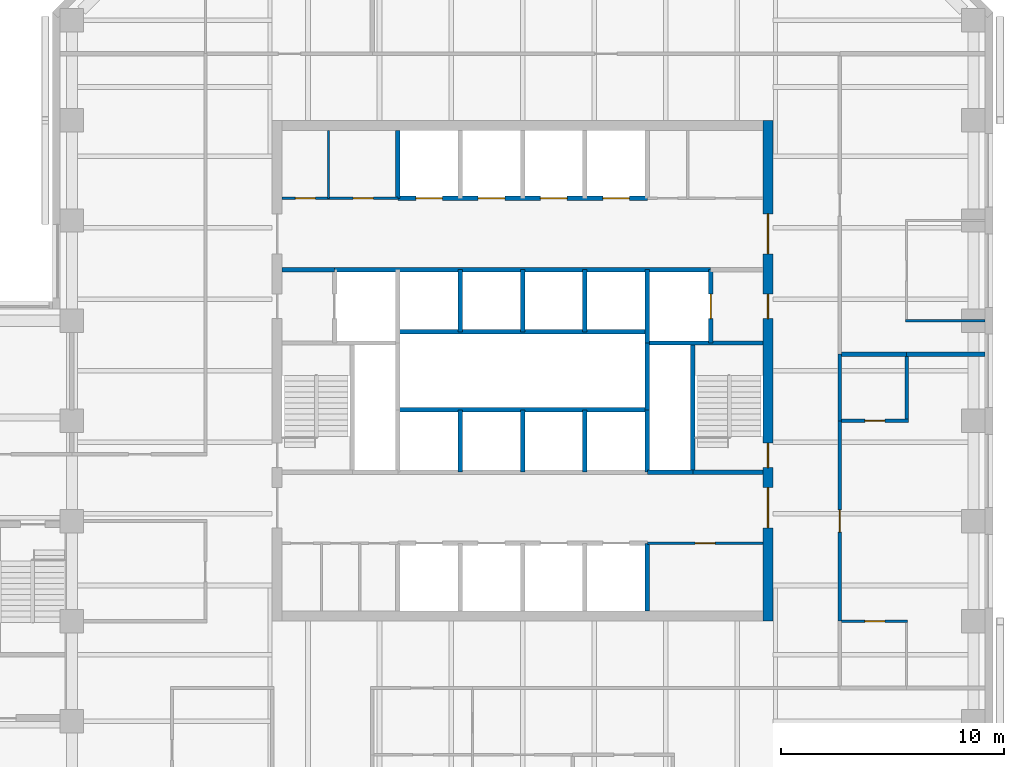
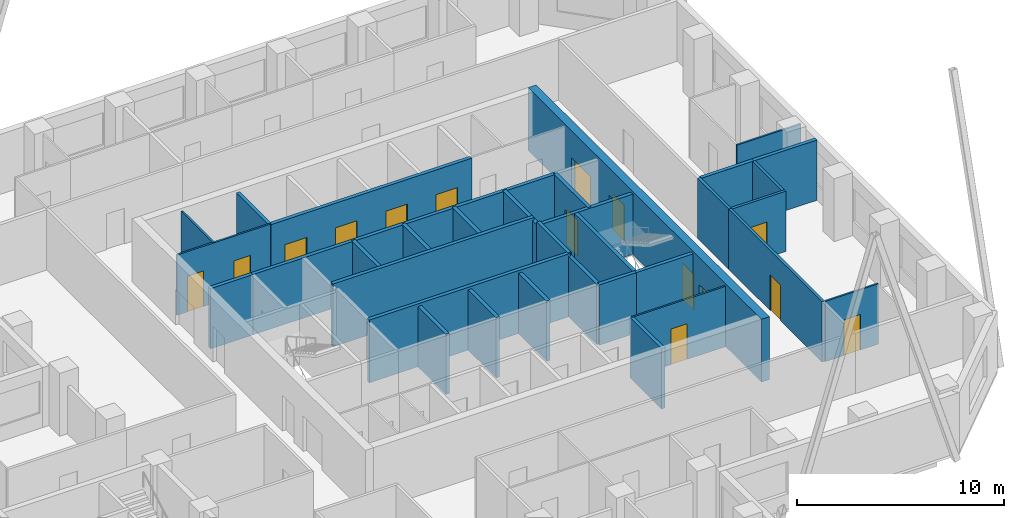
# One storey, part 7 of 10: 33 walls, 15 doors, 15 openings.
"""IFC4 building model written with IfcOpenShell, lengths in metres."""

from ifc_helpers import new_model, si_unit, direction, frame, frame_2d, origin, place, context, subcontext, project, spatial, rectangle, extrude, material, layer, layer_set, type_object, element, fill, save


model = new_model("IFC4")

# Units and contexts
model_context = context("Model", 3, precision=1e-05, world=origin(), true_north=direction((0.0, 1.0)))
body_context = subcontext(model_context, "Body", "Model", "MODEL_VIEW")
ifc_project = project(units=[si_unit("LENGTHUNIT", "METRE"), si_unit("AREAUNIT", "SQUARE_METRE"), si_unit("VOLUMEUNIT", "CUBIC_METRE"), si_unit("PLANEANGLEUNIT", "RADIAN"), si_unit("MASSUNIT", "GRAM", prefix="KILO")], contexts=[model_context])

# Site, building, storey
site_placement = place(None, origin())
site = spatial("IfcSite", under=ifc_project, at=site_placement, CompositionType="ELEMENT")
building_placement = place(site_placement, origin())
building = spatial("IfcBuilding", under=site, at=building_placement, Name="Quoin Convention Tower", CompositionType="ELEMENT")
storey_placement = place(building_placement, frame((0.0, 0.0, 97.39990234375)))
storey = spatial("IfcBuildingStorey", under=building, at=storey_placement, Name="L25", CompositionType="ELEMENT", Elevation=97.39990234375)

# Wall, opening, door
ifc_material_1 = material(Name="Plasterboard")
ifc_layer_1 = layer(ifc_material_1, 0.012451171875, Name="Finish")
ifc_material_2 = material(Name="Steel stud framing", Category="steel")
ifc_layer_2 = layer(ifc_material_2, 0.074951171875, Name="Structure")
ifc_layer_3 = layer(ifc_material_1, 0.012451171875, Name="Finish")
ifc_layer_set_1 = layer_set([ifc_layer_1, ifc_layer_2, ifc_layer_3], Name="Steel stud framing")
wall_type_1 = type_object("IfcWallType", Name="Core partition wall", PredefinedType="PARTITIONING", material=ifc_layer_set_1)
wall_1_placement = place(storey_placement, frame((61.85009765625, 53.0, 0.0), z_axis=(0.0, 0.0, 1.0), x_axis=(1.0, 0.0, 0.0)))
wall_1 = element("IfcWall", 1, at=wall_1_placement, inside=storey, type_object=wall_type_1, Name="cr-C1-L25-h3500_16850", PredefinedType="PARTITIONING", context=body_context, shape_type="SweptSolid", body=[
    extrude(rectangle(XDim=5.199951171875, YDim=0.10009765625, at=frame_2d((2.60009765625, 0.0))), origin(), (0.0, 0.0, 1.0), 3.550048828125),
])
opening_1_placement = place(wall_1_placement, frame((2.14990234375, 0.0, 0.0)))
opening_1 = element("IfcOpeningElement", 2, at=opening_1_placement, cuts=wall_1, Name="Opening DCV3-20", PredefinedType="OPENING", context=body_context, shape_type="SweptSolid", body=[
    extrude(rectangle(XDim=0.89990234375, YDim=2.10009765625, at=frame_2d((0.449951171875, 1.050048828125))), frame((0.0, 0.06005859375, 0.0), z_axis=(0.0, -1.0, 0.0), x_axis=(1.0, 0.0, 0.0)), (0.0, 0.0, 1.0), 0.1201171875),
])
ifc_material_3 = material(Name="Steel door leaf", Category="steel")
door_type_1 = type_object("IfcDoorType", Name="Core room door 900 x 2100", OperationType="SINGLE_SWING_LEFT", PredefinedType="DOOR", material=ifc_material_3)
door_1_placement = place(opening_1_placement, frame((0.89990234375, 0.0, 0.0), z_axis=(0.0, 0.0, 1.0), x_axis=(-1.0, 0.0, 0.0)))
door_1 = element("IfcDoor", 3, at=door_1_placement, inside=storey, type_object=door_type_1, Name="cd-C1-L25-CSE0-lobA-CD2511", OperationType="SINGLE_SWING_RIGHT", OverallHeight=2.10009765625, OverallWidth=0.89990234375, PredefinedType="DOOR", context=body_context, shape_type="SweptSolid", body=[
    extrude(rectangle(XDim=0.89990234375, YDim=2.10009765625, at=frame_2d((0.449951171875, 1.050048828125))), frame((0.0, 0.02490234375, 0.0), z_axis=(0.0, -1.0, 0.0), x_axis=(1.0, 0.0, 0.0)), (0.0, 0.0, 1.0), 0.050048828125),
])
fill(opening_1, door_1)

# Wall, openings, doors
wall_2_placement = place(storey_placement, frame((45.449951171875, 68.5, 0.0), z_axis=(0.0, 0.0, 1.0), x_axis=(1.0, 0.0, 0.0)))
wall_2 = element("IfcWall", 4, at=wall_2_placement, inside=storey, type_object=wall_type_1, Name="cr-C1-L25-h19000_450", PredefinedType="PARTITIONING", context=body_context, shape_type="SweptSolid", body=[
    extrude(rectangle(XDim=5.199951171875, YDim=0.10009765625, at=frame_2d((2.60009765625, 0.0))), origin(), (0.0, 0.0, 1.0), 3.550048828125),
])
opening_2_placement = place(wall_2_placement, frame((0.590087890625, 0.0, 0.0)))
opening_2 = element("IfcOpeningElement", 5, at=opening_2_placement, cuts=wall_2, Name="Opening DCV3-15", PredefinedType="OPENING", context=body_context, shape_type="SweptSolid", body=[
    extrude(rectangle(XDim=0.89990234375, YDim=2.10009765625, at=frame_2d((0.449951171875, 1.050048828125))), frame((0.0, 0.06005859375, 0.0), z_axis=(0.0, -1.0, 0.0), x_axis=(1.0, 0.0, 0.0)), (0.0, 0.0, 1.0), 0.1201171875),
])
opening_3_placement = place(wall_2_placement, frame((3.18994140625, 0.0, 0.0)))
opening_3 = element("IfcOpeningElement", 6, at=opening_3_placement, cuts=wall_2, Name="Opening DCV3-16", PredefinedType="OPENING", context=body_context, shape_type="SweptSolid", body=[
    extrude(rectangle(XDim=0.89990234375, YDim=2.10009765625, at=frame_2d((0.449951171875, 1.050048828125))), frame((0.0, 0.06005859375, 0.0), z_axis=(0.0, -1.0, 0.0), x_axis=(1.0, 0.0, 0.0)), (0.0, 0.0, 1.0), 0.1201171875),
])
door_2_placement = place(opening_2_placement, origin())
door_2 = element("IfcDoor", 7, at=door_2_placement, inside=storey, type_object=door_type_1, Name="cd-C1-L25-CNW0-lobB-CD2509", OperationType="SINGLE_SWING_RIGHT", OverallHeight=2.10009765625, OverallWidth=0.89990234375, PredefinedType="DOOR", context=body_context, shape_type="SweptSolid", body=[
    extrude(rectangle(XDim=0.89990234375, YDim=2.10009765625, at=frame_2d((0.449951171875, 1.050048828125))), frame((0.0, 0.02490234375, 0.0), z_axis=(0.0, -1.0, 0.0), x_axis=(1.0, 0.0, 0.0)), (0.0, 0.0, 1.0), 0.050048828125),
])
fill(opening_2, door_2)
door_3_placement = place(opening_3_placement, origin())
door_3 = element("IfcDoor", 8, at=door_3_placement, inside=storey, type_object=door_type_1, Name="cd-C1-L25-CNW1-lobB-CD2510", OperationType="SINGLE_SWING_RIGHT", OverallHeight=2.10009765625, OverallWidth=0.89990234375, PredefinedType="DOOR", context=body_context, shape_type="SweptSolid", body=[
    extrude(rectangle(XDim=0.89990234375, YDim=2.10009765625, at=frame_2d((0.449951171875, 1.050048828125))), frame((0.0, 0.02490234375, 0.0), z_axis=(0.0, -1.0, 0.0), x_axis=(1.0, 0.0, 0.0)), (0.0, 0.0, 1.0), 0.050048828125),
])
fill(opening_3, door_3)

# Walls
wall_3_placement = place(storey_placement, frame((47.530029296875, 68.5, 0.0), z_axis=(0.0, 0.0, 1.0), x_axis=(0.0, 1.0, 0.0)))
element("IfcWall", 9, at=wall_3_placement, inside=storey, type_object=wall_type_1, Name="cr-C1-L25-v2530_19000", PredefinedType="PARTITIONING", context=body_context, shape_type="SweptSolid", body=[
    extrude(rectangle(XDim=3.050048828125, YDim=0.10009765625, at=frame_2d((1.52490234375, 0.0))), origin(), (0.0, 0.0, 1.0), 3.550048828125),
])
ifc_material_4 = material(Name="Concrete C50", Category="concrete")
ifc_layer_4 = layer(ifc_material_4, 0.199951171875)
ifc_layer_set_2 = layer_set([ifc_layer_4], Name="Concrete C50")
wall_type_2 = type_object("IfcWallType", Name="Core shaft wall", PredefinedType="SOLIDWALL", material=ifc_layer_set_2)
wall_4_placement = place(storey_placement, frame((61.85009765625, 56.199951171875, 0.0), z_axis=(0.0, 0.0, 1.0), x_axis=(1.0, 0.0, 0.0)))
element("IfcWall", 10, at=wall_4_placement, inside=storey, type_object=wall_type_2, Name="cr-C1-L25-h6700_16850", PredefinedType="SOLIDWALL", context=body_context, shape_type="SweptSolid", body=[
    extrude(rectangle(XDim=2.0498046875, YDim=0.199951171875, at=frame_2d((1.02490234375, 0.0))), origin(), (0.0, 0.0, 1.0), 3.550048828125),
])
wall_5_placement = place(storey_placement, frame((63.89990234375, 56.199951171875, 0.0), z_axis=(0.0, 0.0, 1.0), x_axis=(1.0, 0.0, 0.0)))
element("IfcWall", 11, at=wall_5_placement, inside=storey, type_object=wall_type_2, Name="cr-C1-L25-h6700_18900", PredefinedType="SOLIDWALL", context=body_context, shape_type="SweptSolid", body=[
    extrude(rectangle(XDim=3.150146484375, YDim=0.199951171875, at=frame_2d((1.5751953125, 0.0))), origin(), (0.0, 0.0, 1.0), 3.550048828125),
])
wall_6_placement = place(storey_placement, frame((61.85009765625, 62.0, 0.0), z_axis=(0.0, 0.0, 1.0), x_axis=(1.0, 0.0, 0.0)))
element("IfcWall", 12, at=wall_6_placement, inside=storey, type_object=wall_type_2, Name="cr-C1-L25-h12500_16850", PredefinedType="SOLIDWALL", context=body_context, shape_type="SweptSolid", body=[
    extrude(rectangle(XDim=5.199951171875, YDim=0.199951171875, at=frame_2d((2.60009765625, 0.0))), origin(), (0.0, 0.0, 1.0), 3.550048828125),
])
wall_7_placement = place(storey_placement, frame((45.449951171875, 65.300048828125, 0.0), z_axis=(0.0, 0.0, 1.0), x_axis=(1.0, 0.0, 0.0)))
element("IfcWall", 13, at=wall_7_placement, inside=storey, type_object=wall_type_2, Name="cr-C1-L25-h15800_450", PredefinedType="SOLIDWALL", context=body_context, shape_type="SweptSolid", body=[
    extrude(rectangle(XDim=2.35009765625, YDim=0.199951171875, at=frame_2d((1.175048828125, 0.0))), origin(), (0.0, 0.0, 1.0), 3.550048828125),
])
wall_8_placement = place(storey_placement, frame((47.800048828125, 65.300048828125, 0.0), z_axis=(0.0, 0.0, 1.0), x_axis=(1.0, 0.0, 0.0)))
element("IfcWall", 14, at=wall_8_placement, inside=storey, type_object=wall_type_2, Name="cr-C1-L25-h15800_2800", PredefinedType="SOLIDWALL", context=body_context, shape_type="SweptSolid", body=[
    extrude(rectangle(XDim=16.89990234375, YDim=0.199951171875, at=frame_2d((8.449951171875, 0.0))), origin(), (0.0, 0.0, 1.0), 3.550048828125),
])

# Wall, openings, doors
wall_9_placement = place(storey_placement, frame((50.64990234375, 68.5, 0.0), z_axis=(0.0, 0.0, 1.0), x_axis=(1.0, 0.0, 0.0)))
wall_9 = element("IfcWall", 15, at=wall_9_placement, inside=storey, type_object=wall_type_2, Name="cr-C1-L25-h19000_5650", PredefinedType="SOLIDWALL", context=body_context, shape_type="SweptSolid", body=[
    extrude(rectangle(XDim=11.2001953125, YDim=0.199951171875, at=frame_2d((5.60009765625, 0.0))), origin(), (0.0, 0.0, 1.0), 3.550048828125),
])
opening_4_placement = place(wall_9_placement, frame((0.800048828125, 0.0, 0.0)))
opening_4 = element("IfcOpeningElement", 16, at=opening_4_placement, cuts=wall_9, Name="Opening LDL5", PredefinedType="OPENING", context=body_context, shape_type="SweptSolid", body=[
    extrude(rectangle(XDim=1.199951171875, YDim=2.10009765625, at=frame_2d((0.60009765625, 1.050048828125))), frame((0.0, 0.10986328125, 0.0), z_axis=(0.0, -1.0, 0.0), x_axis=(1.0, 0.0, 0.0)), (0.0, 0.0, 1.0), 0.219970703125),
])
opening_5_placement = place(wall_9_placement, frame((3.60009765625, 0.0, 0.0)))
opening_5 = element("IfcOpeningElement", 17, at=opening_5_placement, cuts=wall_9, Name="Opening LDL6", PredefinedType="OPENING", context=body_context, shape_type="SweptSolid", body=[
    extrude(rectangle(XDim=1.199951171875, YDim=2.10009765625, at=frame_2d((0.60009765625, 1.050048828125))), frame((0.0, 0.10986328125, 0.0), z_axis=(0.0, -1.0, 0.0), x_axis=(1.0, 0.0, 0.0)), (0.0, 0.0, 1.0), 0.219970703125),
])
opening_6_placement = place(wall_9_placement, frame((6.39990234375, 0.0, 0.0)))
opening_6 = element("IfcOpeningElement", 18, at=opening_6_placement, cuts=wall_9, Name="Opening LDL7", PredefinedType="OPENING", context=body_context, shape_type="SweptSolid", body=[
    extrude(rectangle(XDim=1.199951171875, YDim=2.10009765625, at=frame_2d((0.60009765625, 1.050048828125))), frame((0.0, 0.10986328125, 0.0), z_axis=(0.0, -1.0, 0.0), x_axis=(1.0, 0.0, 0.0)), (0.0, 0.0, 1.0), 0.219970703125),
])
opening_7_placement = place(wall_9_placement, frame((9.199951171875, 0.0, 0.0)))
opening_7 = element("IfcOpeningElement", 19, at=opening_7_placement, cuts=wall_9, Name="Opening LDL8", PredefinedType="OPENING", context=body_context, shape_type="SweptSolid", body=[
    extrude(rectangle(XDim=1.199951171875, YDim=2.10009765625, at=frame_2d((0.60009765625, 1.050048828125))), frame((0.0, 0.10986328125, 0.0), z_axis=(0.0, -1.0, 0.0), x_axis=(1.0, 0.0, 0.0)), (0.0, 0.0, 1.0), 0.219970703125),
])
door_type_2 = type_object("IfcDoorType", Name="Lift landing door 1200 x 2100", OperationType="DOUBLE_DOOR_SLIDING", PredefinedType="DOOR", material=ifc_material_3)
door_4_placement = place(opening_4_placement, origin())
door_4 = element("IfcDoor", 20, at=door_4_placement, inside=storey, type_object=door_type_2, Name="cd-C1-L25-R40-lobB-LDL5", OperationType="DOUBLE_DOOR_SLIDING", OverallHeight=2.10009765625, OverallWidth=1.199951171875, PredefinedType="DOOR", context=body_context, shape_type="SweptSolid", body=[
    extrude(rectangle(XDim=1.199951171875, YDim=2.10009765625, at=frame_2d((0.60009765625, 1.050048828125))), frame((0.0, 0.02490234375, 0.0), z_axis=(0.0, -1.0, 0.0), x_axis=(1.0, 0.0, 0.0)), (0.0, 0.0, 1.0), 0.050048828125),
])
fill(opening_4, door_4)
door_5_placement = place(opening_5_placement, origin())
door_5 = element("IfcDoor", 21, at=door_5_placement, inside=storey, type_object=door_type_2, Name="cd-C1-L25-R41-lobB-LDL6", OperationType="DOUBLE_DOOR_SLIDING", OverallHeight=2.10009765625, OverallWidth=1.199951171875, PredefinedType="DOOR", context=body_context, shape_type="SweptSolid", body=[
    extrude(rectangle(XDim=1.199951171875, YDim=2.10009765625, at=frame_2d((0.60009765625, 1.050048828125))), frame((0.0, 0.02490234375, 0.0), z_axis=(0.0, -1.0, 0.0), x_axis=(1.0, 0.0, 0.0)), (0.0, 0.0, 1.0), 0.050048828125),
])
fill(opening_5, door_5)
door_6_placement = place(opening_6_placement, origin())
door_6 = element("IfcDoor", 22, at=door_6_placement, inside=storey, type_object=door_type_2, Name="cd-C1-L25-R42-lobB-LDL7", OperationType="DOUBLE_DOOR_SLIDING", OverallHeight=2.10009765625, OverallWidth=1.199951171875, PredefinedType="DOOR", context=body_context, shape_type="SweptSolid", body=[
    extrude(rectangle(XDim=1.199951171875, YDim=2.10009765625, at=frame_2d((0.60009765625, 1.050048828125))), frame((0.0, 0.02490234375, 0.0), z_axis=(0.0, -1.0, 0.0), x_axis=(1.0, 0.0, 0.0)), (0.0, 0.0, 1.0), 0.050048828125),
])
fill(opening_6, door_6)
door_7_placement = place(opening_7_placement, origin())
door_7 = element("IfcDoor", 23, at=door_7_placement, inside=storey, type_object=door_type_2, Name="cd-C1-L25-R43-lobB-LDL8", OperationType="DOUBLE_DOOR_SLIDING", OverallHeight=2.10009765625, OverallWidth=1.199951171875, PredefinedType="DOOR", context=body_context, shape_type="SweptSolid", body=[
    extrude(rectangle(XDim=1.199951171875, YDim=2.10009765625, at=frame_2d((0.60009765625, 1.050048828125))), frame((0.0, 0.02490234375, 0.0), z_axis=(0.0, -1.0, 0.0), x_axis=(1.0, 0.0, 0.0)), (0.0, 0.0, 1.0), 0.050048828125),
])
fill(opening_7, door_7)

# Walls
wall_10_placement = place(storey_placement, frame((50.64990234375, 68.5, 0.0), z_axis=(0.0, 0.0, 1.0), x_axis=(0.0, 1.0, 0.0)))
element("IfcWall", 24, at=wall_10_placement, inside=storey, type_object=wall_type_2, Name="cr-C1-L25-v5650_19000", PredefinedType="SOLIDWALL", context=body_context, shape_type="SweptSolid", body=[
    extrude(rectangle(XDim=3.050048828125, YDim=0.199951171875, at=frame_2d((1.52490234375, 0.0))), origin(), (0.0, 0.0, 1.0), 3.550048828125),
])
for number, where, z_axis, x_axis, name in (
    (25, (53.449951171875, 56.199951171875, 0.0), (0.0, 0.0, 1.0), (0.0, 1.0, 0.0), "cr-C1-L25-v8450_6700"),
    (26, (53.449951171875, 62.5, 0.0), (0.0, 0.0, 1.0), (0.0, 1.0, 0.0), "cr-C1-L25-v8450_13000"),
    (27, (56.25, 56.199951171875, 0.0), (0.0, 0.0, 1.0), (0.0, 1.0, 0.0), "cr-C1-L25-v11250_6700"),
    (28, (56.25, 62.5, 0.0), (0.0, 0.0, 1.0), (0.0, 1.0, 0.0), "cr-C1-L25-v11250_13000"),
    (29, (59.050048828125, 56.199951171875, 0.0), (0.0, 0.0, 1.0), (0.0, 1.0, 0.0), "cr-C1-L25-v14050_6700"),
    (30, (59.050048828125, 62.5, 0.0), (0.0, 0.0, 1.0), (0.0, 1.0, 0.0), "cr-C1-L25-v14050_13000"),
):
    element("IfcWall", number, at=place(storey_placement, frame(where, z_axis=z_axis, x_axis=x_axis)), inside=storey, type_object=wall_type_2, Name=name, PredefinedType="SOLIDWALL", context=body_context, shape_type="SweptSolid", body=[
        extrude(rectangle(XDim=2.800048828125, YDim=0.199951171875, at=frame_2d((1.39990234375, 0.0))), origin(), (0.0, 0.0, 1.0), 3.550048828125),
    ])
wall_11_placement = place(storey_placement, frame((61.85009765625, 49.949951171875, 0.0), z_axis=(0.0, 0.0, 1.0), x_axis=(0.0, 1.0, 0.0)))
element("IfcWall", 31, at=wall_11_placement, inside=storey, type_object=wall_type_2, Name="cr-C1-L25-v16850_450", PredefinedType="SOLIDWALL", context=body_context, shape_type="SweptSolid", body=[
    extrude(rectangle(XDim=3.050048828125, YDim=0.199951171875, at=frame_2d((1.52490234375, 0.0))), origin(), (0.0, 0.0, 1.0), 3.550048828125),
])
wall_12_placement = place(storey_placement, frame((61.85009765625, 56.199951171875, 0.0), z_axis=(0.0, 0.0, 1.0), x_axis=(0.0, 1.0, 0.0)))
element("IfcWall", 32, at=wall_12_placement, inside=storey, type_object=wall_type_2, Name="cr-C1-L25-v16850_6700", PredefinedType="SOLIDWALL", context=body_context, shape_type="SweptSolid", body=[
    extrude(rectangle(XDim=2.800048828125, YDim=0.199951171875, at=frame_2d((1.39990234375, 0.0))), origin(), (0.0, 0.0, 1.0), 3.550048828125),
])
wall_13_placement = place(storey_placement, frame((61.85009765625, 62.0, 0.0), z_axis=(0.0, 0.0, 1.0), x_axis=(0.0, 1.0, 0.0)))
element("IfcWall", 33, at=wall_13_placement, inside=storey, type_object=wall_type_2, Name="cr-C1-L25-v16850_12500", PredefinedType="SOLIDWALL", context=body_context, shape_type="SweptSolid", body=[
    extrude(rectangle(XDim=3.300048828125, YDim=0.199951171875, at=frame_2d((1.64990234375, 0.0))), origin(), (0.0, 0.0, 1.0), 3.550048828125),
])
wall_14_placement = place(storey_placement, frame((63.89990234375, 56.199951171875, 0.0), z_axis=(0.0, 0.0, 1.0), x_axis=(0.0, 1.0, 0.0)))
element("IfcWall", 34, at=wall_14_placement, inside=storey, type_object=wall_type_2, Name="cr-C1-L25-v18900_6700", PredefinedType="SOLIDWALL", context=body_context, shape_type="SweptSolid", body=[
    extrude(rectangle(XDim=5.800048828125, YDim=0.199951171875, at=frame_2d((2.89990234375, 0.0))), origin(), (0.0, 0.0, 1.0), 3.550048828125),
])

# Wall, opening, door
wall_15_placement = place(storey_placement, frame((64.699951171875, 62.0, 0.0), z_axis=(0.0, 0.0, 1.0), x_axis=(0.0, 1.0, 0.0)))
wall_15 = element("IfcWall", 35, at=wall_15_placement, inside=storey, type_object=wall_type_2, Name="cr-C1-L25-v19700_12500", PredefinedType="SOLIDWALL", context=body_context, shape_type="SweptSolid", body=[
    extrude(rectangle(XDim=3.300048828125, YDim=0.199951171875, at=frame_2d((1.64990234375, 0.0))), origin(), (0.0, 0.0, 1.0), 3.550048828125),
])
opening_8_placement = place(wall_15_placement, frame((1.10009765625, 0.0, 0.0)))
opening_8 = element("IfcOpeningElement", 36, at=opening_8_placement, cuts=wall_15, Name="Opening LDFL2", PredefinedType="OPENING", context=body_context, shape_type="SweptSolid", body=[
    extrude(rectangle(XDim=1.10009765625, YDim=2.10009765625, at=frame_2d((0.550048828125, 1.050048828125))), frame((0.0, 0.10986328125, 0.0), z_axis=(0.0, -1.0, 0.0), x_axis=(1.0, 0.0, 0.0)), (0.0, 0.0, 1.0), 0.219970703125),
])
door_type_3 = type_object("IfcDoorType", Name="Lift landing door 1100 x 2100", OperationType="DOUBLE_DOOR_SLIDING", PredefinedType="DOOR", material=ifc_material_3)
door_8_placement = place(opening_8_placement, origin())
door_8 = element("IfcDoor", 37, at=door_8_placement, inside=storey, type_object=door_type_3, Name="cd-C1-L25-FLE-FFE-LDFL2", OperationType="DOUBLE_DOOR_SLIDING", OverallHeight=2.10009765625, OverallWidth=1.10009765625, PredefinedType="DOOR", context=body_context, shape_type="SweptSolid", body=[
    extrude(rectangle(XDim=1.10009765625, YDim=2.10009765625, at=frame_2d((0.550048828125, 1.050048828125))), frame((0.0, 0.02490234375, 0.0), z_axis=(0.0, -1.0, 0.0), x_axis=(1.0, 0.0, 0.0)), (0.0, 0.0, 1.0), 0.050048828125),
])
fill(opening_8, door_8)

# Walls
ifc_layer_5 = layer(ifc_material_4, 0.199951171875)
ifc_layer_set_3 = layer_set([ifc_layer_5], Name="Concrete C50")
wall_type_3 = type_object("IfcWallType", Name="Core shaft wall to the floor level over", PredefinedType="SOLIDWALL", material=ifc_layer_set_3)
for number, where, z_axis, x_axis, name in (
    (38, (50.64990234375, 59.0, 0.0), (0.0, 0.0, 1.0), (1.0, 0.0, 0.0), "cr-C1-L25-h9500_5650"),
    (39, (50.64990234375, 62.5, 0.0), (0.0, 0.0, 1.0), (1.0, 0.0, 0.0), "cr-C1-L25-h13000_5650"),
):
    element("IfcWall", number, at=place(storey_placement, frame(where, z_axis=z_axis, x_axis=x_axis)), inside=storey, type_object=wall_type_3, Name=name, PredefinedType="SOLIDWALL", context=body_context, shape_type="SweptSolid", body=[
        extrude(rectangle(XDim=11.2001953125, YDim=0.199951171875, at=frame_2d((5.60009765625, 0.0))), origin(), (0.0, 0.0, 1.0), 3.7001953125),
    ])
wall_16_placement = place(storey_placement, frame((61.85009765625, 59.0, 0.0), z_axis=(0.0, 0.0, 1.0), x_axis=(0.0, 1.0, 0.0)))
element("IfcWall", 40, at=wall_16_placement, inside=storey, type_object=wall_type_3, Name="cr-C1-L25-v16850_9500", PredefinedType="SOLIDWALL", context=body_context, shape_type="SweptSolid", body=[
    extrude(rectangle(XDim=3.0, YDim=0.199951171875, at=frame_2d((1.5, 0.0))), origin(), (0.0, 0.0, 1.0), 3.7001953125),
])

# Wall, opening, door
ifc_layer_6 = layer(ifc_material_1, 0.012451171875, Name="Finish")
ifc_layer_7 = layer(ifc_material_2, 0.125, Name="Structure")
ifc_layer_8 = layer(ifc_material_1, 0.012451171875, Name="Finish")
ifc_layer_set_4 = layer_set([ifc_layer_6, ifc_layer_7, ifc_layer_8], Name="Steel stud framing")
wall_type_4 = type_object("IfcWallType", Name="Corridor wall 150", PredefinedType="PARTITIONING", material=ifc_layer_set_4)
wall_17_placement = place(storey_placement, frame((70.5, 49.5, 0.0), z_axis=(0.0, 0.0, 1.0), x_axis=(0.0, 1.0, 0.0)))
wall_17 = element("IfcWall", 41, at=wall_17_placement, inside=storey, type_object=wall_type_4, Name="pw-L25-073", PredefinedType="PARTITIONING", context=body_context, shape_type="SweptSolid", body=[
    extrude(rectangle(XDim=9.0, YDim=0.14990234375, at=frame_2d((4.5, 0.0))), origin(), (0.0, 0.0, 1.0), 3.550048828125),
])
opening_9_placement = place(wall_17_placement, frame((4.0, 0.0, 0.0)))
opening_9 = element("IfcOpeningElement", 42, at=opening_9_placement, cuts=wall_17, Name="Opening DOL3-26", PredefinedType="OPENING", context=body_context, shape_type="SweptSolid", body=[
    extrude(rectangle(XDim=1.0, YDim=2.10009765625, at=frame_2d((0.5, 1.050048828125))), frame((0.0, 0.0849609375, 0.0), z_axis=(0.0, -1.0, 0.0), x_axis=(1.0, 0.0, 0.0)), (0.0, 0.0, 1.0), 0.169921875),
])
door_type_4 = type_object("IfcDoorType", Name="Tenancy entrance door 1000 x 2100", OperationType="DOUBLE_DOOR_SINGLE_SWING", PredefinedType="DOOR", material=ifc_material_3)
door_9_placement = place(opening_9_placement, frame((1.0, 0.0, 0.0), z_axis=(0.0, 0.0, 1.0), x_axis=(-1.0, 0.0, 0.0)))
door_9 = element("IfcDoor", 43, at=door_9_placement, inside=storey, type_object=door_type_4, Name="dr-L25-17", OperationType="DOUBLE_DOOR_SINGLE_SWING", OverallHeight=2.10009765625, OverallWidth=1.0, PredefinedType="DOOR", context=body_context, shape_type="SweptSolid", body=[
    extrude(rectangle(XDim=1.0, YDim=2.10009765625, at=frame_2d((0.5, 1.050048828125))), frame((0.0, 0.02490234375, 0.0), z_axis=(0.0, -1.0, 0.0), x_axis=(1.0, 0.0, 0.0)), (0.0, 0.0, 1.0), 0.050048828125),
])
fill(opening_9, door_9)

# Wall
wall_18_placement = place(storey_placement, frame((70.5, 58.5, 0.0), z_axis=(0.0, 0.0, 1.0), x_axis=(0.0, 1.0, 0.0)))
element("IfcWall", 44, at=wall_18_placement, inside=storey, type_object=wall_type_4, Name="pw-L25-078", PredefinedType="PARTITIONING", context=body_context, shape_type="SweptSolid", body=[
    extrude(rectangle(XDim=3.0, YDim=0.14990234375, at=frame_2d((1.5, 0.0))), origin(), (0.0, 0.0, 1.0), 3.550048828125),
])

# Wall, openings, doors
ifc_material_5 = material(Name="Concrete C65", Category="concrete")
ifc_layer_9 = layer(ifc_material_5, 0.449951171875)
ifc_layer_set_5 = layer_set([ifc_layer_9], Name="Concrete C65")
wall_type_5 = type_object("IfcWallType", Name="RC CORE WALL 450 C65", PredefinedType="SHEAR", material=ifc_layer_set_5)
wall_19_placement = place(storey_placement, frame((67.27490234375, 49.5, 0.0), z_axis=(0.0, 0.0, 1.0), x_axis=(0.0, 1.0, 0.0)))
wall_19 = element("IfcWall", 45, at=wall_19_placement, inside=storey, type_object=wall_type_5, Name="cwl-C1-L25-E", PredefinedType="SHEAR", context=body_context, shape_type="SweptSolid", body=[
    extrude(rectangle(XDim=22.5, YDim=0.449951171875, at=frame_2d((11.25, 0.0))), origin(), (0.0, 0.0, 1.0), 3.7001953125),
])
opening_10_placement = place(wall_19_placement, frame((4.199951171875, 0.0, 0.0)))
opening_10 = element("IfcOpeningElement", 46, at=opening_10_placement, cuts=wall_19, Name="Opening DCV3-38", PredefinedType="OPENING", context=body_context, shape_type="SweptSolid", body=[
    extrude(rectangle(XDim=1.800048828125, YDim=2.10009765625, at=frame_2d((0.89990234375, 1.050048828125))), frame((0.0, 0.23486328125, 0.0), z_axis=(0.0, -1.0, 0.0), x_axis=(1.0, 0.0, 0.0)), (0.0, 0.0, 1.0), 0.469970703125),
])
opening_11_placement = place(wall_19_placement, frame((6.89990234375, 0.0, 0.0)))
opening_11 = element("IfcOpeningElement", 47, at=opening_11_placement, cuts=wall_19, Name="Opening SD2", PredefinedType="OPENING", context=body_context, shape_type="SweptSolid", body=[
    extrude(rectangle(XDim=1.10009765625, YDim=2.10009765625, at=frame_2d((0.550048828125, 1.050048828125))), frame((0.0, 0.23486328125, 0.0), z_axis=(0.0, -1.0, 0.0), x_axis=(1.0, 0.0, 0.0)), (0.0, 0.0, 1.0), 0.469970703125),
])
opening_12_placement = place(wall_19_placement, frame((13.60009765625, 0.0, 0.0)))
opening_12 = element("IfcOpeningElement", 48, at=opening_12_placement, cuts=wall_19, Name="Opening DCV3-37", PredefinedType="OPENING", context=body_context, shape_type="SweptSolid", body=[
    extrude(rectangle(XDim=1.10009765625, YDim=2.10009765625, at=frame_2d((0.550048828125, 1.050048828125))), frame((0.0, 0.23486328125, 0.0), z_axis=(0.0, -1.0, 0.0), x_axis=(1.0, 0.0, 0.0)), (0.0, 0.0, 1.0), 0.469970703125),
])
opening_13_placement = place(wall_19_placement, frame((16.5, 0.0, 0.0)))
opening_13 = element("IfcOpeningElement", 49, at=opening_13_placement, cuts=wall_19, Name="Opening DCV3-38", PredefinedType="OPENING", context=body_context, shape_type="SweptSolid", body=[
    extrude(rectangle(XDim=1.800048828125, YDim=2.10009765625, at=frame_2d((0.89990234375, 1.050048828125))), frame((0.0, 0.23486328125, 0.0), z_axis=(0.0, -1.0, 0.0), x_axis=(1.0, 0.0, 0.0)), (0.0, 0.0, 1.0), 0.469970703125),
])
door_type_5 = type_object("IfcDoorType", Name="Fire-fighting lobby door 1100 x 2100", OperationType="SINGLE_SWING_LEFT", PredefinedType="DOOR", material=ifc_material_3)
door_10_placement = place(opening_12_placement, origin())
door_10 = element("IfcDoor", 50, at=door_10_placement, inside=storey, type_object=door_type_5, Name="cd-C1-L25-FFE-E", OperationType="SINGLE_SWING_RIGHT", OverallHeight=2.10009765625, OverallWidth=1.10009765625, PredefinedType="DOOR", context=body_context, shape_type="SweptSolid", body=[
    extrude(rectangle(XDim=1.10009765625, YDim=2.10009765625, at=frame_2d((0.550048828125, 1.050048828125))), frame((0.0, 0.02490234375, 0.0), z_axis=(0.0, -1.0, 0.0), x_axis=(1.0, 0.0, 0.0)), (0.0, 0.0, 1.0), 0.050048828125),
])
fill(opening_12, door_10)
door_type_6 = type_object("IfcDoorType", Name="Lift lobby door 1800 x 2100", OperationType="SINGLE_SWING_LEFT", PredefinedType="DOOR", material=ifc_material_3)
door_11_placement = place(opening_10_placement, origin())
door_11 = element("IfcDoor", 51, at=door_11_placement, inside=storey, type_object=door_type_6, Name="cd-C1-L25-lobA-E", OperationType="SINGLE_SWING_RIGHT", OverallHeight=2.10009765625, OverallWidth=1.800048828125, PredefinedType="DOOR", context=body_context, shape_type="SweptSolid", body=[
    extrude(rectangle(XDim=1.800048828125, YDim=2.10009765625, at=frame_2d((0.89990234375, 1.050048828125))), frame((0.0, 0.02490234375, 0.0), z_axis=(0.0, -1.0, 0.0), x_axis=(1.0, 0.0, 0.0)), (0.0, 0.0, 1.0), 0.050048828125),
])
fill(opening_10, door_11)
door_12_placement = place(opening_13_placement, origin())
door_12 = element("IfcDoor", 52, at=door_12_placement, inside=storey, type_object=door_type_6, Name="cd-C1-L25-lobB-E", OperationType="SINGLE_SWING_RIGHT", OverallHeight=2.10009765625, OverallWidth=1.800048828125, PredefinedType="DOOR", context=body_context, shape_type="SweptSolid", body=[
    extrude(rectangle(XDim=1.800048828125, YDim=2.10009765625, at=frame_2d((0.89990234375, 1.050048828125))), frame((0.0, 0.02490234375, 0.0), z_axis=(0.0, -1.0, 0.0), x_axis=(1.0, 0.0, 0.0)), (0.0, 0.0, 1.0), 0.050048828125),
])
fill(opening_13, door_12)
door_type_7 = type_object("IfcDoorType", Name="Stair door 1100 x 2100", OperationType="SINGLE_SWING_RIGHT", PredefinedType="DOOR", material=ifc_material_3)
door_13_placement = place(opening_11_placement, origin())
door_13 = element("IfcDoor", 53, at=door_13_placement, inside=storey, type_object=door_type_7, Name="cd-C1-L25-STE-E", OperationType="SINGLE_SWING_LEFT", OverallHeight=2.10009765625, OverallWidth=1.10009765625, PredefinedType="DOOR", context=body_context, shape_type="SweptSolid", body=[
    extrude(rectangle(XDim=1.10009765625, YDim=2.10009765625, at=frame_2d((0.550048828125, 1.050048828125))), frame((0.0, 0.02490234375, 0.0), z_axis=(0.0, -1.0, 0.0), x_axis=(1.0, 0.0, 0.0)), (0.0, 0.0, 1.0), 0.050048828125),
])
fill(opening_11, door_13)

# Wall, opening, door
ifc_layer_10 = layer(ifc_material_1, 0.012451171875, Name="Finish")
ifc_layer_11 = layer(ifc_material_2, 0.074951171875, Name="Structure")
ifc_layer_12 = layer(ifc_material_1, 0.012451171875, Name="Finish")
ifc_layer_set_6 = layer_set([ifc_layer_10, ifc_layer_11, ifc_layer_12], Name="Steel stud framing")
wall_type_6 = type_object("IfcWallType", Name="Stud partition 100", PredefinedType="PARTITIONING", material=ifc_layer_set_6)
wall_20_placement = place(storey_placement, frame((70.574951171875, 49.5, 0.0), z_axis=(0.0, 0.0, 1.0), x_axis=(1.0, 0.0, 0.0)))
wall_20 = element("IfcWall", 54, at=wall_20_placement, inside=storey, type_object=wall_type_6, Name="pw-L25-029", PredefinedType="PARTITIONING", context=body_context, shape_type="SweptSolid", body=[
    extrude(rectangle(XDim=2.97509765625, YDim=0.10009765625, at=frame_2d((1.487548828125, 0.0))), origin(), (0.0, 0.0, 1.0), 3.550048828125),
])
opening_14_placement = place(wall_20_placement, frame((1.050048828125, 0.0, 0.0)))
opening_14 = element("IfcOpeningElement", 55, at=opening_14_placement, cuts=wall_20, Name="Opening DOL3-12", PredefinedType="OPENING", context=body_context, shape_type="SweptSolid", body=[
    extrude(rectangle(XDim=0.89990234375, YDim=2.10009765625, at=frame_2d((0.449951171875, 1.050048828125))), frame((0.0, 0.06005859375, 0.0), z_axis=(0.0, -1.0, 0.0), x_axis=(1.0, 0.0, 0.0)), (0.0, 0.0, 1.0), 0.1201171875),
])
door_type_8 = type_object("IfcDoorType", Name="Office door 900 x 2100", OperationType="SINGLE_SWING_RIGHT", PredefinedType="DOOR", material=ifc_material_3)
door_14_placement = place(opening_14_placement, origin())
door_14 = element("IfcDoor", 56, at=door_14_placement, inside=storey, type_object=door_type_8, Name="dr-L25-19", OperationType="SINGLE_SWING_RIGHT", OverallHeight=2.10009765625, OverallWidth=0.89990234375, PredefinedType="DOOR", context=body_context, shape_type="SweptSolid", body=[
    extrude(rectangle(XDim=0.89990234375, YDim=2.10009765625, at=frame_2d((0.449951171875, 1.050048828125))), frame((0.0, 0.02490234375, 0.0), z_axis=(0.0, -1.0, 0.0), x_axis=(1.0, 0.0, 0.0)), (0.0, 0.0, 1.0), 0.050048828125),
])
fill(opening_14, door_14)

# Walls
wall_21_placement = place(storey_placement, frame((73.449951171875, 63.0, 0.0), z_axis=(0.0, 0.0, 1.0), x_axis=(1.0, 0.0, 0.0)))
element("IfcWall", 57, at=wall_21_placement, inside=storey, type_object=wall_type_6, Name="pw-L25-037", PredefinedType="PARTITIONING", context=body_context, shape_type="SweptSolid", body=[
    extrude(rectangle(XDim=3.574951171875, YDim=0.10009765625, at=frame_2d((1.78759765625, 0.0))), origin(), (0.0, 0.0, 1.0), 3.550048828125),
])
ifc_layer_13 = layer(ifc_material_1, 0.012451171875, Name="Finish")
ifc_layer_14 = layer(ifc_material_2, 0.175048828125, Name="Structure")
ifc_layer_15 = layer(ifc_material_1, 0.012451171875, Name="Finish")
ifc_layer_set_7 = layer_set([ifc_layer_13, ifc_layer_14, ifc_layer_15], Name="Steel stud framing")
wall_type_7 = type_object("IfcWallType", Name="Tenancy demising wall 200", PredefinedType="PARTITIONING", material=ifc_layer_set_7)
wall_22_placement = place(storey_placement, frame((70.574951171875, 61.5, 0.0), z_axis=(0.0, 0.0, 1.0), x_axis=(1.0, 0.0, 0.0)))
element("IfcWall", 58, at=wall_22_placement, inside=storey, type_object=wall_type_7, Name="pw-L25-035", PredefinedType="PARTITIONING", context=body_context, shape_type="SweptSolid", body=[
    extrude(rectangle(XDim=2.925048828125, YDim=0.199951171875, at=frame_2d((1.46240234375, 0.0))), origin(), (0.0, 0.0, 1.0), 3.550048828125),
])
wall_23_placement = place(storey_placement, frame((73.5, 61.5, 0.0), z_axis=(0.0, 0.0, 1.0), x_axis=(1.0, 0.0, 0.0)))
element("IfcWall", 59, at=wall_23_placement, inside=storey, type_object=wall_type_7, Name="pw-L25-036", PredefinedType="PARTITIONING", context=body_context, shape_type="SweptSolid", body=[
    extrude(rectangle(XDim=3.52490234375, YDim=0.199951171875, at=frame_2d((1.762451171875, 0.0))), origin(), (0.0, 0.0, 1.0), 3.550048828125),
])

# Wall, opening, door
ifc_layer_16 = layer(ifc_material_1, 0.012451171875, Name="Finish")
ifc_layer_17 = layer(ifc_material_2, 0.125, Name="Structure")
ifc_layer_18 = layer(ifc_material_1, 0.012451171875, Name="Finish")
ifc_layer_set_8 = layer_set([ifc_layer_16, ifc_layer_17, ifc_layer_18], Name="Steel stud framing")
wall_type_8 = type_object("IfcWallType", Name="Wet area partition 150", PredefinedType="PARTITIONING", material=ifc_layer_set_8)
wall_24_placement = place(storey_placement, frame((70.574951171875, 58.5, 0.0), z_axis=(0.0, 0.0, 1.0), x_axis=(1.0, 0.0, 0.0)))
wall_24 = element("IfcWall", 60, at=wall_24_placement, inside=storey, type_object=wall_type_8, Name="pw-L25-034", PredefinedType="PARTITIONING", context=body_context, shape_type="SweptSolid", body=[
    extrude(rectangle(XDim=3.0, YDim=0.14990234375, at=frame_2d((1.5, 0.0))), origin(), (0.0, 0.0, 1.0), 3.550048828125),
])
opening_15_placement = place(wall_24_placement, frame((1.050048828125, 0.0, 0.0)))
opening_15 = element("IfcOpeningElement", 61, at=opening_15_placement, cuts=wall_24, Name="Opening DOL3-15", PredefinedType="OPENING", context=body_context, shape_type="SweptSolid", body=[
    extrude(rectangle(XDim=0.89990234375, YDim=2.10009765625, at=frame_2d((0.449951171875, 1.050048828125))), frame((0.0, 0.0849609375, 0.0), z_axis=(0.0, -1.0, 0.0), x_axis=(1.0, 0.0, 0.0)), (0.0, 0.0, 1.0), 0.169921875),
])
door_15_placement = place(opening_15_placement, frame((0.89990234375, 0.0, 0.0), z_axis=(0.0, 0.0, 1.0), x_axis=(-1.0, 0.0, 0.0)))
door_15 = element("IfcDoor", 62, at=door_15_placement, inside=storey, type_object=door_type_8, Name="dr-L25-18", OperationType="SINGLE_SWING_LEFT", OverallHeight=2.10009765625, OverallWidth=0.89990234375, PredefinedType="DOOR", context=body_context, shape_type="SweptSolid", body=[
    extrude(rectangle(XDim=0.89990234375, YDim=2.10009765625, at=frame_2d((0.449951171875, 1.050048828125))), frame((0.0, 0.02490234375, 0.0), z_axis=(0.0, -1.0, 0.0), x_axis=(1.0, 0.0, 0.0)), (0.0, 0.0, 1.0), 0.050048828125),
])
fill(opening_15, door_15)

# Wall
wall_25_placement = place(storey_placement, frame((73.5, 58.574951171875, 0.0), z_axis=(0.0, 0.0, 1.0), x_axis=(0.0, 1.0, 0.0)))
element("IfcWall", 63, at=wall_25_placement, inside=storey, type_object=wall_type_8, Name="pw-L25-079", PredefinedType="PARTITIONING", context=body_context, shape_type="SweptSolid", body=[
    extrude(rectangle(XDim=2.824951171875, YDim=0.14990234375, at=frame_2d((1.41259765625, 0.0))), origin(), (0.0, 0.0, 1.0), 3.550048828125),
])

save(model, "model.ifc")
